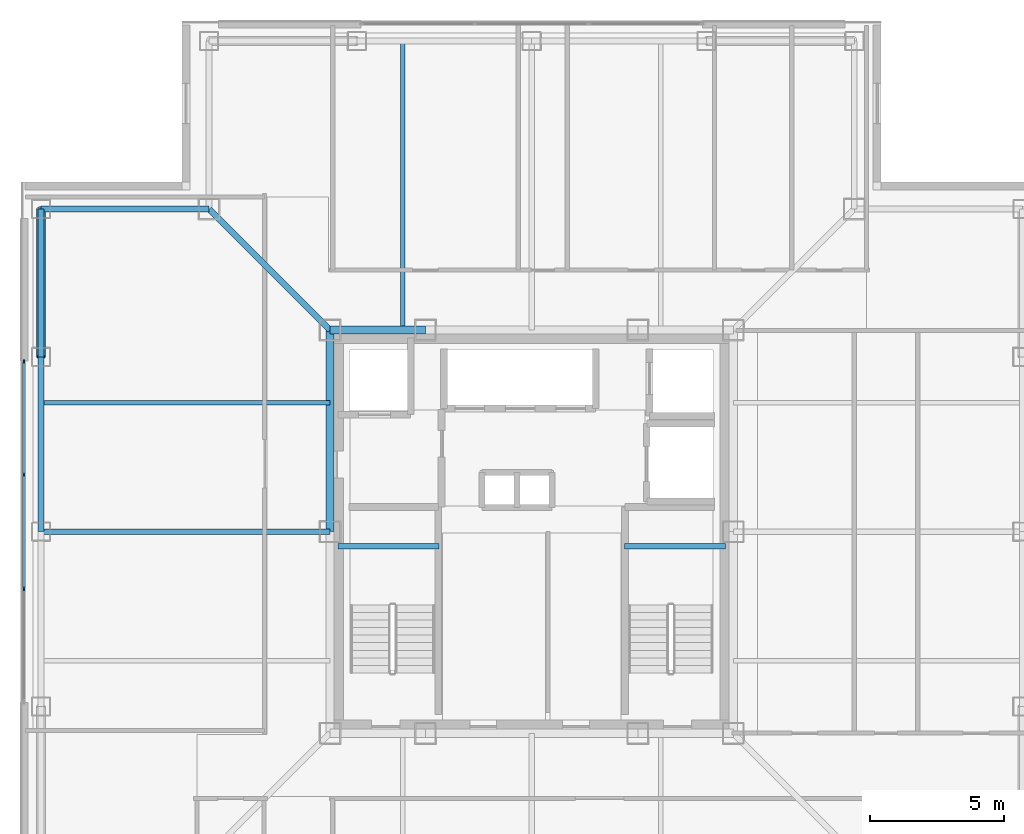
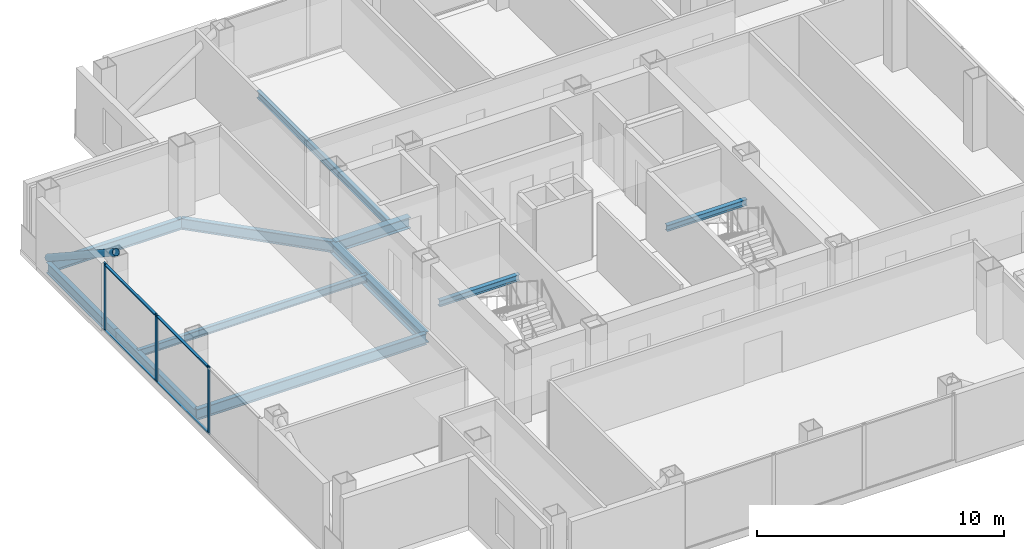
# One storey, part 4 of 16: 11 beams, 8 members, 1 element without a shape of its own.
"""IFC4 building model written with IfcOpenShell, lengths in metres."""

from ifc_helpers import new_model, si_unit, direction, frame, origin, origin_2d, place, context, subcontext, project, spatial, rectangle, hollow_circle, i_section, extrude, material, layer, layer_set, material_profile, profile_set, type_object, element, aggregate, save


model = new_model("IFC4")

# Units and contexts
model_context = context("Model", 3, precision=1e-05, world=origin(), true_north=direction((0.0, 1.0)))
body_context = subcontext(model_context, "Body", "Model", "MODEL_VIEW")
ifc_project = project(units=[si_unit("LENGTHUNIT", "METRE"), si_unit("AREAUNIT", "SQUARE_METRE"), si_unit("VOLUMEUNIT", "CUBIC_METRE"), si_unit("PLANEANGLEUNIT", "RADIAN"), si_unit("MASSUNIT", "GRAM", prefix="KILO")], contexts=[model_context])

# Site, building, storey
site_placement = place(None, origin())
site = spatial("IfcSite", under=ifc_project, at=site_placement, CompositionType="ELEMENT")
building_placement = place(site_placement, origin())
building = spatial("IfcBuilding", under=site, at=building_placement, Name="Trevonay Congress Spire", CompositionType="ELEMENT")
storey_placement = place(building_placement, frame((0.0, 0.0, 246.800048828125)))
storey = spatial("IfcBuildingStorey", under=building, at=storey_placement, Name="L64", CompositionType="ELEMENT", Elevation=246.800048828125)

# Beams
ifc_material_1 = material(Name="Steel ASTM A572 Grade 50", Category="steel")
ifc_material_profile_1 = material_profile(ifc_material_1, i_section(OverallWidth=0.2119140625, OverallDepth=0.5439453125, WebThickness=0.01318359375, FlangeThickness=0.021240234375, FilletRadius=0.014892578125, at=origin_2d()), Name="W530x123")
ifc_profile_set_1 = profile_set([ifc_material_profile_1], Name="Steel ASTM A572 Grade 50")
beam_type_1 = type_object("IfcBeamType", Name="BM-GIRD-W530X123", PredefinedType="BEAM", material=ifc_profile_set_1)
beam_1_placement = place(storey_placement, frame((-7.5, 7.5, -0.511962890625), z_axis=(-0.707106781187, 0.707106781187, 0.0), x_axis=(-0.707106781187, -0.707106781187, 0.0)))
element("IfcBeam", 1, at=beam_1_placement, inside=storey, type_object=beam_type_1, Name="L64 structural beam BM-L64-CDNW", PredefinedType="BEAM", context=body_context, shape_type="SweptSolid", body=[
    extrude(i_section(OverallWidth=0.2119140625, OverallDepth=0.5439453125, WebThickness=0.01318359375, FlangeThickness=0.021240234375, FilletRadius=0.014892578125, at=origin_2d()), origin(), (0.0, 0.0, 1.0), 6.364013671875),
])
beam_2_placement = place(storey_placement, frame((-7.5, 0.0, -0.511962890625), z_axis=(-1.0, 0.0, 0.0), x_axis=(0.0, -1.0, 0.0)))
element("IfcBeam", 2, at=beam_2_placement, inside=storey, type_object=beam_type_1, Name="L64 structural beam BM-L64-GC-W", PredefinedType="BEAM", context=body_context, shape_type="SweptSolid", body=[
    extrude(i_section(OverallWidth=0.2119140625, OverallDepth=0.5439453125, WebThickness=0.01318359375, FlangeThickness=0.021240234375, FilletRadius=0.014892578125, at=origin_2d()), origin(), (0.0, 0.0, 1.0), 10.75),
])
ifc_material_profile_2 = material_profile(ifc_material_1, i_section(OverallWidth=0.31201171875, OverallDepth=0.54296875, WebThickness=0.0126953125, FlangeThickness=0.020263671875, FilletRadius=0.014892578125, at=origin_2d()), Name="W530x150")
ifc_profile_set_2 = profile_set([ifc_material_profile_2], Name="Steel ASTM A572 Grade 50")
beam_type_2 = type_object("IfcBeamType", Name="BM-GIRD-W530X150", PredefinedType="BEAM", material=ifc_profile_set_2)
beam_3_placement = place(storey_placement, frame((-7.5, 7.5, -0.511474609375), z_axis=(1.0, 0.0, 0.0), x_axis=(0.0, 1.0, 0.0)))
element("IfcBeam", 3, at=beam_3_placement, inside=storey, type_object=beam_type_2, Name="L64 structural beam BM-L64-CR-N1", PredefinedType="BEAM", context=body_context, shape_type="SweptSolid", body=[
    extrude(i_section(OverallWidth=0.31201171875, OverallDepth=0.54296875, WebThickness=0.0126953125, FlangeThickness=0.020263671875, FilletRadius=0.014892578125, at=origin_2d()), origin(), (0.0, 0.0, 1.0), 3.550048828125),
])
beam_4_placement = place(storey_placement, frame((-7.5, 0.0, -0.511474609375), z_axis=(0.0, 1.0, 0.0), x_axis=(-1.0, 0.0, 0.0)))
element("IfcBeam", 4, at=beam_4_placement, inside=storey, type_object=beam_type_2, Name="L64 structural beam BM-L64-CR-W2", PredefinedType="BEAM", context=body_context, shape_type="SweptSolid", body=[
    extrude(i_section(OverallWidth=0.31201171875, OverallDepth=0.54296875, WebThickness=0.0126953125, FlangeThickness=0.020263671875, FilletRadius=0.014892578125, at=origin_2d()), origin(), (0.0, 0.0, 1.0), 7.5),
])
ifc_material_profile_3 = material_profile(ifc_material_1, i_section(OverallWidth=0.208984375, OverallDepth=0.532958984375, WebThickness=0.01025390625, FlangeThickness=0.015625, FilletRadius=0.014892578125, at=origin_2d()), Name="W530x92")
ifc_profile_set_3 = profile_set([ifc_material_profile_3], Name="Steel ASTM A572 Grade 50")
beam_type_3 = type_object("IfcBeamType", Name="BM-RING-W530X92", PredefinedType="BEAM", material=ifc_profile_set_3)
beam_5_placement = place(storey_placement, frame((-18.25, 0.0, -0.506591796875), z_axis=(0.0, 1.0, 0.0), x_axis=(-1.0, 0.0, 0.0)))
element("IfcBeam", 5, at=beam_5_placement, inside=storey, type_object=beam_type_3, Name="L64 structural beam BM-L64-PW3", PredefinedType="BEAM", context=body_context, shape_type="SweptSolid", body=[
    extrude(i_section(OverallWidth=0.208984375, OverallDepth=0.532958984375, WebThickness=0.01025390625, FlangeThickness=0.015625, FilletRadius=0.014892578125, at=origin_2d()), origin(), (0.0, 0.0, 1.0), 6.5),
])
beam_6_placement = place(storey_placement, frame((-18.25, 6.5, -0.506591796875), z_axis=(0.0, 1.0, 0.0), x_axis=(-1.0, 0.0, 0.0)))
element("IfcBeam", 6, at=beam_6_placement, inside=storey, type_object=beam_type_3, Name="L64 structural beam BM-L64-PW4", PredefinedType="BEAM", context=body_context, shape_type="SweptSolid", body=[
    extrude(i_section(OverallWidth=0.208984375, OverallDepth=0.532958984375, WebThickness=0.01025390625, FlangeThickness=0.015625, FilletRadius=0.014892578125, at=origin_2d()), origin(), (0.0, 0.0, 1.0), 5.5),
])
beam_7_placement = place(storey_placement, frame((-18.25, 12.0, -0.506591796875), z_axis=(1.0, 0.0, 0.0), x_axis=(0.0, 1.0, 0.0)))
element("IfcBeam", 7, at=beam_7_placement, inside=storey, type_object=beam_type_3, Name="L64 structural beam BM-L64-N2NW", PredefinedType="BEAM", context=body_context, shape_type="SweptSolid", body=[
    extrude(i_section(OverallWidth=0.208984375, OverallDepth=0.532958984375, WebThickness=0.01025390625, FlangeThickness=0.015625, FilletRadius=0.014892578125, at=origin_2d()), origin(), (0.0, 0.0, 1.0), 6.25),
])

# Curtain wall, members
ifc_material_2 = material(Name="Pale Anodised Aluminium EN AW-6063-T6", Category="aluminium")
ifc_layer = layer(ifc_material_2, 0.1650390625, Name="Pale Anodised Aluminium EN AW-6063-T6")
ifc_layer_set = layer_set([ifc_layer], Name="Pale Anodised Aluminium EN AW-6063-T6")
curtain_wall_type = type_object("IfcCurtainWallType", Name="CW-SYS05-DIPLOM-PALE-METAL", PredefinedType="NOTDEFINED", material=ifc_layer_set)
curtain_wall_placement = place(storey_placement, origin())
curtain_wall = element("IfcCurtainWall", 8, at=curtain_wall_placement, inside=storey, type_object=curtain_wall_type, Name="L64 W unitised curtain wall", PredefinedType="NOTDEFINED")
ifc_material_profile_4 = material_profile(ifc_material_2, rectangle(XDim=0.06005859375, YDim=0.159912109375, at=origin_2d()), Name="CW-MULLION-160-ALUMINIUM")
ifc_profile_set_4 = profile_set([ifc_material_profile_4], Name="Pale Anodised Aluminium EN AW-6063-T6")
member_type_1 = type_object("IfcMemberType", Name="CW-MULLION-160-ALUMINIUM", PredefinedType="MULLION", material=ifc_profile_set_4)
member_1_placement = place(storey_placement, frame((-18.8798828125, -2.11669921875, 0.0), z_axis=(0.0, 0.0, 1.0), x_axis=(-1.0, 0.0, 0.0)))
member_1 = element("IfcMember", 9, at=member_1_placement, type_object=member_type_1, Name="CW05 mullion 2", PredefinedType="MULLION", context=body_context, shape_type="SweptSolid", body=[
    extrude(rectangle(XDim=0.06005859375, YDim=0.159912109375, at=origin_2d()), origin(), (0.0, 0.0, 1.0), 3.35986328125),
])
member_2_placement = place(storey_placement, frame((-18.8798828125, 2.11669921875, 0.0), z_axis=(0.0, 0.0, 1.0), x_axis=(-1.0, 0.0, 0.0)))
member_2 = element("IfcMember", 10, at=member_2_placement, type_object=member_type_1, Name="CW05 mullion 3", PredefinedType="MULLION", context=body_context, shape_type="SweptSolid", body=[
    extrude(rectangle(XDim=0.06005859375, YDim=0.159912109375, at=origin_2d()), origin(), (0.0, 0.0, 1.0), 3.35986328125),
])
member_3_placement = place(storey_placement, frame((-18.8798828125, 6.320068359375, 0.0), z_axis=(0.0, 0.0, 1.0), x_axis=(-1.0, 0.0, 0.0)))
member_3 = element("IfcMember", 11, at=member_3_placement, type_object=member_type_1, Name="CW05 mullion 4", PredefinedType="MULLION", context=body_context, shape_type="SweptSolid", body=[
    extrude(rectangle(XDim=0.06005859375, YDim=0.159912109375, at=origin_2d()), origin(), (0.0, 0.0, 1.0), 3.35986328125),
])
ifc_material_profile_5 = material_profile(ifc_material_2, rectangle(XDim=0.1201171875, YDim=0.06005859375, at=origin_2d()), Name="CW-TRANSOM-120-ALUMINIUM")
ifc_profile_set_5 = profile_set([ifc_material_profile_5], Name="Pale Anodised Aluminium EN AW-6063-T6")
member_type_2 = type_object("IfcMemberType", Name="CW-TRANSOM-120-ALUMINIUM", PredefinedType="USERDEFINED", material=ifc_profile_set_5)
member_4_placement = place(storey_placement, frame((-18.8798828125, -2.086669921875, 0.06005859375), z_axis=(0.0, 1.0, 0.0), x_axis=(-1.0, 0.0, 0.0)))
member_4 = element("IfcMember", 12, at=member_4_placement, type_object=member_type_2, Name="CW05 transom 2.1", ObjectType="TRANSOM", PredefinedType="USERDEFINED", context=body_context, shape_type="SweptSolid", body=[
    extrude(rectangle(XDim=0.1201171875, YDim=0.06005859375, at=origin_2d()), origin(), (0.0, 0.0, 1.0), 4.17333984375),
])
member_5_placement = place(storey_placement, frame((-18.8798828125, -2.086669921875, 3.300048828125), z_axis=(0.0, 1.0, 0.0), x_axis=(-1.0, 0.0, 0.0)))
member_5 = element("IfcMember", 13, at=member_5_placement, type_object=member_type_2, Name="CW05 transom 2.2", ObjectType="TRANSOM", PredefinedType="USERDEFINED", context=body_context, shape_type="SweptSolid", body=[
    extrude(rectangle(XDim=0.1201171875, YDim=0.06005859375, at=origin_2d()), origin(), (0.0, 0.0, 1.0), 4.17333984375),
])
member_6_placement = place(storey_placement, frame((-18.8798828125, 2.146728515625, 0.06005859375), z_axis=(0.0, 1.0, 0.0), x_axis=(-1.0, 0.0, 0.0)))
member_6 = element("IfcMember", 14, at=member_6_placement, type_object=member_type_2, Name="CW05 transom 3.1", ObjectType="TRANSOM", PredefinedType="USERDEFINED", context=body_context, shape_type="SweptSolid", body=[
    extrude(rectangle(XDim=0.1201171875, YDim=0.06005859375, at=origin_2d()), origin(), (0.0, 0.0, 1.0), 4.143310546875),
])
member_7_placement = place(storey_placement, frame((-18.8798828125, 2.146728515625, 3.300048828125), z_axis=(0.0, 1.0, 0.0), x_axis=(-1.0, 0.0, 0.0)))
member_7 = element("IfcMember", 15, at=member_7_placement, type_object=member_type_2, Name="CW05 transom 3.2", ObjectType="TRANSOM", PredefinedType="USERDEFINED", context=body_context, shape_type="SweptSolid", body=[
    extrude(rectangle(XDim=0.1201171875, YDim=0.06005859375, at=origin_2d()), origin(), (0.0, 0.0, 1.0), 4.143310546875),
])
aggregate(curtain_wall, [member_1, member_2, member_3, member_4, member_5, member_6, member_7])

# Beams
ifc_material_profile_6 = material_profile(ifc_material_1, i_section(OverallWidth=0.172119140625, OverallDepth=0.35791015625, WebThickness=0.0078125, FlangeThickness=0.01318359375, FilletRadius=0.011962890625, at=origin_2d()), Name="W360x57.8")
ifc_profile_set_6 = profile_set([ifc_material_profile_6], Name="Steel ASTM A572 Grade 50")
beam_type_4 = type_object("IfcBeamType", Name="JS-COMP-W360X57", PredefinedType="JOIST", material=ifc_profile_set_6)
for number, where, z_axis, x_axis, name in (
    (16, (-4.800048828125, 7.5, -0.4189453125), (0.0, 1.0, 0.0), (-1.0, 0.0, 0.0), "L64 structural beam JS-L64-NS-N1"),
    (17, (-18.25, 4.800048828125, -0.4189453125), (1.0, 0.0, 0.0), (0.0, 1.0, 0.0), "L64 structural beam JS-L64-EW-W3"),
):
    element("IfcBeam", number, at=place(storey_placement, frame(where, z_axis=z_axis, x_axis=x_axis)), inside=storey, type_object=beam_type_4, Name=name, PredefinedType="JOIST", context=body_context, shape_type="SweptSolid", body=[
        extrude(i_section(OverallWidth=0.172119140625, OverallDepth=0.35791015625, WebThickness=0.0078125, FlangeThickness=0.01318359375, FilletRadius=0.011962890625, at=origin_2d()), origin(), (0.0, 0.0, 1.0), 10.75),
    ])
ifc_material_profile_7 = material_profile(ifc_material_1, i_section(OverallWidth=0.2041015625, OverallDepth=0.305908203125, WebThickness=0.008544921875, FlangeThickness=0.0146484375, FilletRadius=0.010986328125, at=origin_2d()), Name="W310x67")
ifc_profile_set_7 = profile_set([ifc_material_profile_7], Name="Steel ASTM A572 Grade 50")
beam_type_5 = type_object("IfcBeamType", Name="LN-CORE-W310X67", PredefinedType="LINTEL", material=ifc_profile_set_7)
for number, where, z_axis, x_axis, name in (
    (18, (-7.199951171875, -0.550048828125, 1.447021484375), (1.0, 0.0, 0.0), (0.0, 1.0, 0.0), "L64 structural beam BM-L64-HL-ST1"),
    (19, (3.449951171875, -0.550048828125, 1.447021484375), (1.0, 0.0, 0.0), (0.0, 1.0, 0.0), "L64 structural beam BM-L64-HL-ST2"),
):
    element("IfcBeam", number, at=place(storey_placement, frame(where, z_axis=z_axis, x_axis=x_axis)), inside=storey, type_object=beam_type_5, Name=name, PredefinedType="LINTEL", context=body_context, shape_type="SweptSolid", body=[
        extrude(i_section(OverallWidth=0.2041015625, OverallDepth=0.305908203125, WebThickness=0.008544921875, FlangeThickness=0.0146484375, FilletRadius=0.010986328125, at=origin_2d()), origin(), (0.0, 0.0, 1.0), 3.75),
    ])

# Member
ifc_material_3 = material(Name="Steel ASTM A500 Grade C", Category="steel")
ifc_material_profile_8 = material_profile(ifc_material_3, hollow_circle(Radius=0.161865234375, WallThickness=0.01611328125, at=origin_2d()), Name="CHS 323.9x16")
ifc_profile_set_8 = profile_set([ifc_material_profile_8], Name="Steel ASTM A500 Grade C")
member_type_3 = type_object("IfcMemberType", Name="MBR-TUBE-CHS324", PredefinedType="BRACE", material=ifc_profile_set_8)
member_8_placement = place(storey_placement, frame((-18.25, 12.0, -0.050048828125), z_axis=(0.0, -0.836694709366, 0.547669574943), x_axis=(1.0, 0.0, 0.0)))
element("IfcMember", 20, at=member_8_placement, inside=storey, type_object=member_type_3, Name="L64 perimeter braced-tube diagonal W3", PredefinedType="BRACE", context=body_context, shape_type="SweptSolid", body=[
    extrude(hollow_circle(Radius=0.161865234375, WallThickness=0.01611328125, at=origin_2d()), origin(), (0.0, 0.0, 1.0), 6.573486328125),
])

save(model, "model.ifc")
